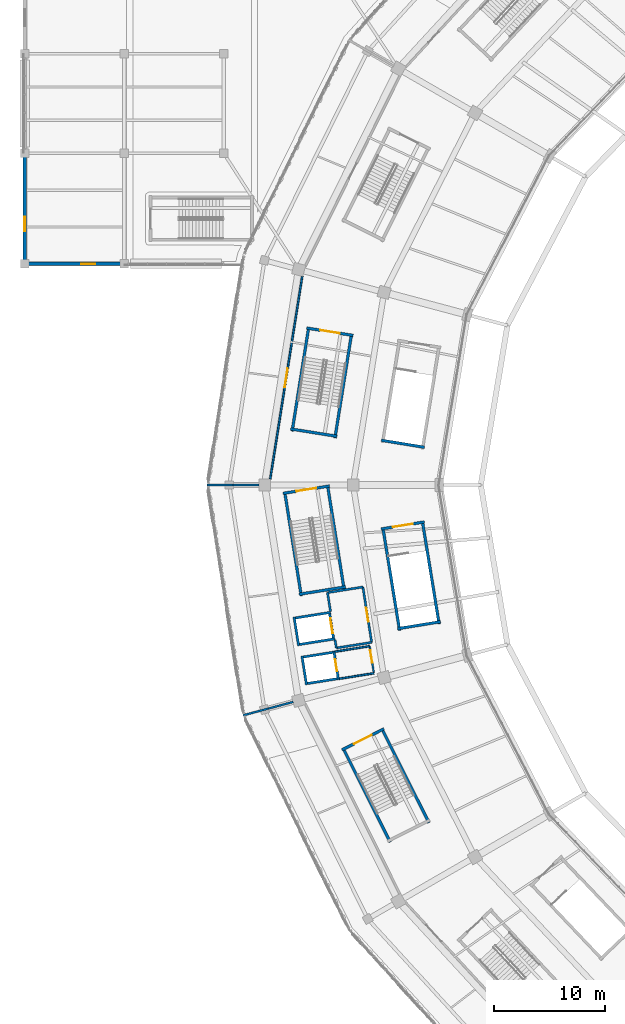
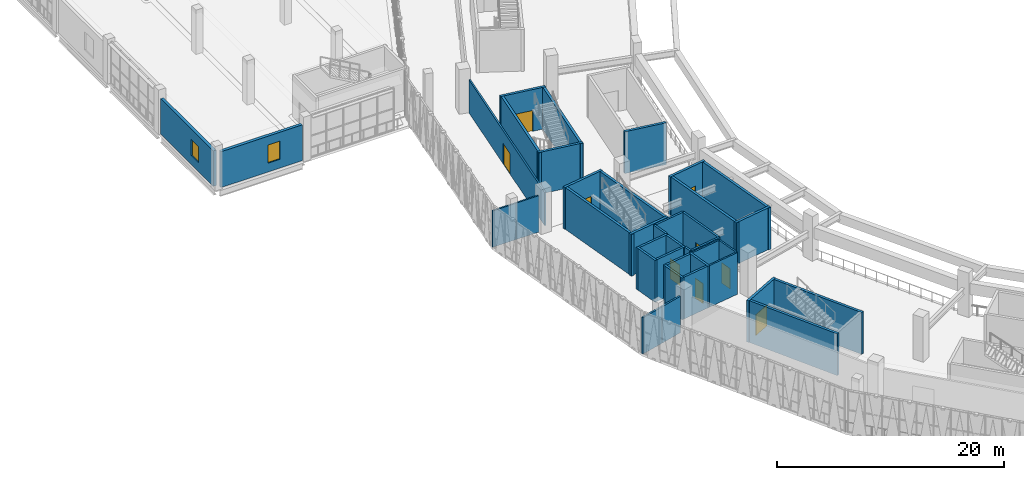
# One storey, part 100 of 179: 39 walls, 9 doors, 2 windows, 11 openings.
"""IFC4 building model written with IfcOpenShell, lengths in metres."""

from ifc_helpers import new_model, si_unit, direction, frame, frame_2d, origin, place, context, subcontext, project, spatial, rectangle, extrude, material, layer, layer_set, type_object, element, fill, save


model = new_model("IFC4")

# Units and contexts
model_context = context("Model", 3, precision=1e-05, world=origin(), true_north=direction((0.0, 1.0)))
body_context = subcontext(model_context, "Body", "Model", "MODEL_VIEW")
ifc_project = project(units=[si_unit("LENGTHUNIT", "METRE"), si_unit("AREAUNIT", "SQUARE_METRE"), si_unit("VOLUMEUNIT", "CUBIC_METRE"), si_unit("PLANEANGLEUNIT", "RADIAN"), si_unit("MASSUNIT", "GRAM", prefix="KILO")], contexts=[model_context])

# Site, building, storey
site_placement = place(None, origin())
site = spatial("IfcSite", under=ifc_project, at=site_placement, CompositionType="ELEMENT")
building_placement = place(site_placement, origin())
building = spatial("IfcBuilding", under=site, at=building_placement, Name="Zevraka Park Crest Stadium", CompositionType="ELEMENT")
storey_placement = place(building_placement, frame((0.0, 0.0, 10.199951171875)))
storey = spatial("IfcBuildingStorey", under=building, at=storey_placement, Name="L02", CompositionType="ELEMENT", Elevation=10.199951171875)

# Wall, opening, window
ifc_material_1 = material(Name="Limestone and red clay brick masonry", Category="masonry")
ifc_layer_1 = layer(ifc_material_1, 0.300048828125)
ifc_layer_set_1 = layer_set([ifc_layer_1], Name="Limestone and red clay brick masonry")
wall_type_1 = type_object("IfcWallType", Name="EW02", PredefinedType="STANDARD", material=ifc_layer_set_1)
wall_1_placement = place(storey_placement, frame((0.0, 112.35009765625, 0.0), z_axis=(0.0, 0.0, 1.0), x_axis=(0.0, 1.0, 0.0)))
wall_1 = element("IfcWall", 1, at=wall_1_placement, inside=storey, type_object=wall_type_1, Name="Wing External Cavity Wall EW02 L02-NW-W-1", PredefinedType="STANDARD", context=body_context, shape_type="SweptSolid", body=[
    extrude(rectangle(XDim=9.2998046875, YDim=0.300048828125, at=frame_2d((4.64990234375, 0.0))), origin(), (0.0, 0.0, 1.0), 3.817138671875),
])
opening_1_placement = place(wall_1_placement, frame((2.60498046875, 0.0, 0.949951171875)))
opening_1 = element("IfcOpeningElement", 2, at=opening_1_placement, cuts=wall_1, Name="Opening WN31", PredefinedType="OPENING", context=body_context, shape_type="SweptSolid", body=[
    extrude(rectangle(XDim=1.300048828125, YDim=1.75, at=frame_2d((0.64990234375, 0.875))), frame((0.0, 0.159912109375, 0.0), z_axis=(0.0, -1.0, 0.0), x_axis=(1.0, 0.0, 0.0)), (0.0, 0.0, 1.0), 0.320068359375),
])
ifc_material_2 = material(Name="Solar-control laminated double glazing in aluminium frame", Category="aluminium")
window_type_1 = type_object("IfcWindowType", Name="WN31", PartitioningType="SINGLE_PANEL", PredefinedType="WINDOW", material=ifc_material_2)
window_1_placement = place(opening_1_placement, origin())
window_1 = element("IfcWindow", 3, at=window_1_placement, inside=storey, type_object=window_type_1, Name="Facade Casement Window WN31 W-L02-031", OverallHeight=1.75, OverallWidth=1.300048828125, PartitioningType="SINGLE_PANEL", PredefinedType="WINDOW", context=body_context, shape_type="SweptSolid", body=[
    extrude(rectangle(XDim=1.300048828125, YDim=1.75, at=frame_2d((0.64990234375, 0.875))), frame((0.0, 0.030029296875, 0.0), z_axis=(0.0, -1.0, 0.0), x_axis=(1.0, 0.0, 0.0)), (0.0, 0.0, 1.0), 0.06005859375),
])
fill(opening_1, window_1)

wall_2_placement = place(storey_placement, frame((8.64990234375, 112.0, 0.0), z_axis=(0.0, 0.0, 1.0), x_axis=(-1.0, 0.0, 0.0)))
wall_2 = element("IfcWall", 4, at=wall_2_placement, inside=storey, type_object=wall_type_1, Name="Wing External Cavity Wall EW02 L02-NW-S0-3", PredefinedType="STANDARD", context=body_context, shape_type="SweptSolid", body=[
    extrude(rectangle(XDim=8.2998046875, YDim=0.300048828125, at=frame_2d((4.14990234375, 0.0))), origin(), (0.0, 0.0, 1.0), 3.85498046875),
])
opening_2_placement = place(wall_2_placement, frame((2.280029296875, 0.0, 0.949951171875)))
opening_2 = element("IfcOpeningElement", 5, at=opening_2_placement, cuts=wall_2, Name="Opening WN18", PredefinedType="OPENING", context=body_context, shape_type="SweptSolid", body=[
    extrude(rectangle(XDim=1.25, YDim=1.949951171875, at=frame_2d((0.625, 0.97509765625))), frame((0.0, 0.159912109375, 0.0), z_axis=(0.0, -1.0, 0.0), x_axis=(1.0, 0.0, 0.0)), (0.0, 0.0, 1.0), 0.320068359375),
])
ifc_material_3 = material(Name="Solar-control laminated double glazing in aluminium frame", Category="aluminium")
window_type_2 = type_object("IfcWindowType", Name="WN18", PartitioningType="SINGLE_PANEL", PredefinedType="WINDOW", material=ifc_material_3)
window_2_placement = place(opening_2_placement, origin())
window_2 = element("IfcWindow", 6, at=window_2_placement, inside=storey, type_object=window_type_2, Name="Facade Casement Window WN18 W-L02-059", OverallHeight=1.949951171875, OverallWidth=1.25, PartitioningType="SINGLE_PANEL", PredefinedType="WINDOW", context=body_context, shape_type="SweptSolid", body=[
    extrude(rectangle(XDim=1.25, YDim=1.949951171875, at=frame_2d((0.625, 0.97509765625))), frame((0.0, 0.030029296875, 0.0), z_axis=(0.0, -1.0, 0.0), x_axis=(1.0, 0.0, 0.0)), (0.0, 0.0, 1.0), 0.06005859375),
])
fill(opening_2, window_2)

# Walls
ifc_material_4 = material(Name="Autoclaved aerated masonry blockwork", Category="masonry")
ifc_layer_2 = layer(ifc_material_4, 0.199951171875)
ifc_layer_set_2 = layer_set([ifc_layer_2], Name="Autoclaved aerated masonry blockwork")
wall_type_2 = type_object("IfcWallType", Name="IW01", PredefinedType="PARTITIONING", material=ifc_layer_set_2)
wall_3_placement = place(storey_placement, frame((28.18310546875, 77.256103515625, 0.0), z_axis=(0.0, 0.0, 1.0), x_axis=(-0.157482870509, 0.987521719, 0.0)))
element("IfcWall", 7, at=wall_3_placement, inside=storey, type_object=wall_type_2, Name="Firefighting Lift Lobby Wall IW01 FL03 L02 BACKL", PredefinedType="PARTITIONING", context=body_context, shape_type="SweptSolid", body=[
    extrude(rectangle(XDim=0.750244140625, YDim=0.199951171875, at=frame_2d((0.375, 0.0))), origin(), (0.0, 0.0, 1.0), 4.47998046875),
])
wall_4_placement = place(storey_placement, frame((27.656982421875, 80.56396484375, 0.0), z_axis=(0.0, 0.0, 1.0), x_axis=(-0.156960903537, 0.987604817101, 0.0)))
element("IfcWall", 8, at=wall_4_placement, inside=storey, type_object=wall_type_2, Name="Firefighting Lift Lobby Wall IW01 FL03 L02 BACKR", PredefinedType="PARTITIONING", context=body_context, shape_type="SweptSolid", body=[
    extrude(rectangle(XDim=1.72021484375, YDim=0.199951171875, at=frame_2d((0.860107421875, 0.0))), origin(), (0.0, 0.0, 1.0), 4.47998046875),
])
wall_5_placement = place(storey_placement, frame((28.18310546875, 77.256103515625, 0.0), z_axis=(0.0, 0.0, 1.0), x_axis=(0.987633675984, 0.156779214382, 0.0)))
element("IfcWall", 9, at=wall_5_placement, inside=storey, type_object=wall_type_2, Name="Firefighting Lift Lobby Wall IW01 FL03 L02 LEFT", PredefinedType="PARTITIONING", context=body_context, shape_type="SweptSolid", body=[
    extrude(rectangle(XDim=3.239013671875, YDim=0.199951171875, at=frame_2d((1.61962890625, 0.0))), origin(), (0.0, 0.0, 1.0), 4.47998046875),
])
wall_6_placement = place(storey_placement, frame((27.386962890625, 82.262939453125, 0.0), z_axis=(0.0, 0.0, 1.0), x_axis=(0.987629416648, 0.156806043797, 0.0)))
element("IfcWall", 10, at=wall_6_placement, inside=storey, type_object=wall_type_2, Name="Firefighting Lift Lobby Wall IW01 FL03 L02 RIGHT", PredefinedType="PARTITIONING", context=body_context, shape_type="SweptSolid", body=[
    extrude(rectangle(XDim=3.239990234375, YDim=0.199951171875, at=frame_2d((1.6201171875, 0.0))), origin(), (0.0, 0.0, 1.0), 4.47998046875),
])

# Wall, opening, door
wall_7_placement = place(storey_placement, frame((31.382080078125, 77.763916015625, 0.0), z_axis=(0.0, 0.0, 1.0), x_axis=(-0.156842848291, 0.987623572491, 0.0)))
wall_7 = element("IfcWall", 11, at=wall_7_placement, inside=storey, type_object=wall_type_2, Name="Firefighting Lift Lobby Wall IW01 FL03 L02 FRONT", PredefinedType="PARTITIONING", context=body_context, shape_type="SweptSolid", body=[
    extrude(rectangle(XDim=5.06982421875, YDim=0.199951171875, at=frame_2d((2.534912109375, 0.0))), origin(), (0.0, 0.0, 1.0), 4.47998046875),
])
opening_3_placement = place(wall_7_placement, frame((1.909912109375, 0.0, 0.0)))
opening_3 = element("IfcOpeningElement", 12, at=opening_3_placement, cuts=wall_7, Name="Opening D-L02-309", PredefinedType="OPENING", context=body_context, shape_type="SweptSolid", body=[
    extrude(rectangle(XDim=1.25, YDim=2.199951171875, at=frame_2d((0.625, 1.10009765625))), frame((0.0, 0.10986328125, 0.0), z_axis=(0.0, -1.0, 0.0), x_axis=(1.0, 0.0, 0.0)), (0.0, 0.0, 1.0), 0.219970703125),
])
ifc_material_5 = material(Name="Solid-core hardwood timber leaf in steel frame", Category="steel")
door_type_1 = type_object("IfcDoorType", Name="DR07", OperationType="NOTDEFINED", PredefinedType="DOOR", material=ifc_material_5)
door_1_placement = place(opening_3_placement, origin())
door_1 = element("IfcDoor", 13, at=door_1_placement, inside=storey, type_object=door_type_1, Name="Firefighting Lift Lobby FL03 Door D-L02-309", OperationType="SINGLE_SWING_LEFT", OverallHeight=2.199951171875, OverallWidth=1.25, PredefinedType="DOOR", context=body_context, shape_type="SweptSolid", body=[
    extrude(rectangle(XDim=1.25, YDim=2.199951171875, at=frame_2d((0.625, 1.10009765625))), frame((0.0, 0.02490234375, 0.0), z_axis=(0.0, -1.0, 0.0), x_axis=(1.0, 0.0, 0.0)), (0.0, 0.0, 1.0), 0.050048828125),
])
fill(opening_3, door_1)

# Walls
ifc_material_6 = material(Name="Fire-rated twin-stud acoustic drywall", Category="other")
ifc_layer_3 = layer(ifc_material_6, 0.159912109375)
ifc_layer_set_3 = layer_set([ifc_layer_3], Name="Fire-rated twin-stud acoustic drywall")
wall_type_3 = type_object("IfcWallType", Name="IW02", PredefinedType="PARTITIONING", material=ifc_layer_set_3)
wall_8_placement = place(storey_placement, frame((28.452880859375, 74.472900390625, 0.0), z_axis=(0.0, 0.0, 1.0), x_axis=(0.987632121619, 0.156789005818, 0.0)))
element("IfcWall", 14, at=wall_8_placement, inside=storey, type_object=wall_type_3, Name="Passenger Lift Lobby Wall IW02 PL03 L02 LEFT", PredefinedType="PARTITIONING", context=body_context, shape_type="SweptSolid", body=[
    extrude(rectangle(XDim=3.17041015625, YDim=0.159912109375, at=frame_2d((1.585205078125, 0.0))), origin(), (0.0, 0.0, 1.0), 4.47998046875),
])
wall_9_placement = place(storey_placement, frame((28.06396484375, 76.923095703125, 0.0), z_axis=(0.0, 0.0, 1.0), x_axis=(0.987644043639, 0.156713889186, 0.0)))
element("IfcWall", 15, at=wall_9_placement, inside=storey, type_object=wall_type_3, Name="Passenger Lift Lobby Wall IW02 PL03 L02 RIGHT", PredefinedType="PARTITIONING", context=body_context, shape_type="SweptSolid", body=[
    extrude(rectangle(XDim=3.170166015625, YDim=0.159912109375, at=frame_2d((1.5849609375, 0.0))), origin(), (0.0, 0.0, 1.0), 4.47998046875),
])

# Wall, opening, door
wall_10_placement = place(storey_placement, frame((31.583984375, 74.969970703125, 0.0), z_axis=(0.0, 0.0, 1.0), x_axis=(-0.156781258489, 0.987633351496, 0.0)))
wall_10 = element("IfcWall", 16, at=wall_10_placement, inside=storey, type_object=wall_type_3, Name="Passenger Lift Lobby Wall IW02 PL03 L02 FRONT", PredefinedType="PARTITIONING", context=body_context, shape_type="SweptSolid", body=[
    extrude(rectangle(XDim=2.480712890625, YDim=0.159912109375, at=frame_2d((1.240234375, 0.0))), origin(), (0.0, 0.0, 1.0), 4.47998046875),
])
opening_4_placement = place(wall_10_placement, frame((0.962890625, 0.0, 0.0)))
opening_4 = element("IfcOpeningElement", 17, at=opening_4_placement, cuts=wall_10, Name="Opening D-L02-315", PredefinedType="OPENING", context=body_context, shape_type="SweptSolid", body=[
    extrude(rectangle(XDim=1.14990234375, YDim=2.199951171875, at=frame_2d((0.574951171875, 1.10009765625))), frame((0.0, 0.08984375, 0.0), z_axis=(0.0, -1.0, 0.0), x_axis=(1.0, 0.0, 0.0)), (0.0, 0.0, 1.0), 0.179931640625),
])
ifc_material_7 = material(Name="Solid-core hardwood timber leaf in steel frame", Category="steel")
door_type_2 = type_object("IfcDoorType", Name="DR03", OperationType="NOTDEFINED", PredefinedType="DOOR", material=ifc_material_7)
door_2_placement = place(opening_4_placement, origin())
door_2 = element("IfcDoor", 18, at=door_2_placement, inside=storey, type_object=door_type_2, Name="Passenger Lift Lobby PL03 Door D-L02-315", OperationType="SINGLE_SWING_LEFT", OverallHeight=2.199951171875, OverallWidth=1.14990234375, PredefinedType="DOOR", context=body_context, shape_type="SweptSolid", body=[
    extrude(rectangle(XDim=1.14990234375, YDim=2.199951171875, at=frame_2d((0.574951171875, 1.10009765625))), frame((0.0, 0.02490234375, 0.0), z_axis=(0.0, -1.0, 0.0), x_axis=(1.0, 0.0, 0.0)), (0.0, 0.0, 1.0), 0.050048828125),
])
fill(opening_4, door_2)

wall_11_placement = place(storey_placement, frame((25.10302734375, 110.8740234375, 0.0), z_axis=(0.0, 0.0, 1.0), x_axis=(-0.156094739357, -0.987742087969, 0.0)))
wall_11 = element("IfcWall", 19, at=wall_11_placement, inside=storey, type_object=wall_type_3, Name="Interior Partition IW02 Central Catering Production Kitchen L02", PredefinedType="PARTITIONING", context=body_context, shape_type="SweptSolid", body=[
    extrude(rectangle(XDim=18.591796875, YDim=0.159912109375, at=frame_2d((9.2958984375, 0.0))), origin(), (0.0, 0.0, 1.0), 3.56494140625),
])
opening_5_placement = place(wall_11_placement, frame((8.446044921875, 0.0, 0.0)))
opening_5 = element("IfcOpeningElement", 20, at=opening_5_placement, cuts=wall_11, Name="Opening D-L02-408", PredefinedType="OPENING", context=body_context, shape_type="SweptSolid", body=[
    extrude(rectangle(XDim=1.699951171875, YDim=2.199951171875, at=frame_2d((0.85009765625, 1.10009765625))), frame((0.0, 0.08984375, 0.0), z_axis=(0.0, -1.0, 0.0), x_axis=(1.0, 0.0, 0.0)), (0.0, 0.0, 1.0), 0.179931640625),
])
ifc_material_8 = material(Name="Solid-core hardwood timber leaf in steel frame", Category="steel")
door_type_3 = type_object("IfcDoorType", Name="DR14", OperationType="NOTDEFINED", PredefinedType="DOOR", material=ifc_material_8)
door_3_placement = place(opening_5_placement, origin())
door_3 = element("IfcDoor", 21, at=door_3_placement, inside=storey, type_object=door_type_3, Name="Central Catering Production Kitchen Door D-L02-408", OperationType="DOUBLE_DOOR_SINGLE_SWING", OverallHeight=2.199951171875, OverallWidth=1.699951171875, PredefinedType="DOOR", context=body_context, shape_type="SweptSolid", body=[
    extrude(rectangle(XDim=1.699951171875, YDim=2.199951171875, at=frame_2d((0.85009765625, 1.10009765625))), frame((0.0, 0.02490234375, 0.0), z_axis=(0.0, -1.0, 0.0), x_axis=(1.0, 0.0, 0.0)), (0.0, 0.0, 1.0), 0.050048828125),
])
fill(opening_5, door_3)

# Walls
wall_12_placement = place(storey_placement, frame((21.18994140625, 92.0, 0.0), z_axis=(0.0, 0.0, 1.0), x_axis=(-1.0, 0.0, 0.0)))
element("IfcWall", 22, at=wall_12_placement, inside=storey, type_object=wall_type_3, Name="Interior Partition IW02 Central Catering Production Kitchen L02", PredefinedType="PARTITIONING", context=body_context, shape_type="SweptSolid", body=[
    extrude(rectangle(XDim=2.329833984375, YDim=0.159912109375, at=frame_2d((1.1650390625, 0.0))), origin(), (0.0, 0.0, 1.0), 3.9150390625),
])
wall_13_placement = place(storey_placement, frame((18.875, 92.0, 0.0), z_axis=(0.0, 0.0, 1.0), x_axis=(-1.0, 0.0, 0.0)))
element("IfcWall", 23, at=wall_13_placement, inside=storey, type_object=wall_type_3, Name="Interior Partition IW02 Central Catering Production Kitchen L02", PredefinedType="PARTITIONING", context=body_context, shape_type="SweptSolid", body=[
    extrude(rectangle(XDim=2.375, YDim=0.159912109375, at=frame_2d((1.1875, 0.0))), origin(), (0.0, 0.0, 1.0), 3.9150390625),
])
ifc_material_9 = material(Name="Fire-rated twin-stud acoustic drywall", Category="other")
ifc_layer_4 = layer(ifc_material_9, 0.179931640625)
ifc_layer_set_4 = layer_set([ifc_layer_4], Name="Fire-rated twin-stud acoustic drywall")
wall_type_4 = type_object("IfcWallType", Name="IW06", PredefinedType="PARTITIONING", material=ifc_layer_set_4)
wall_14_placement = place(storey_placement, frame((24.283935546875, 72.37890625, 0.0), z_axis=(0.0, 0.0, 1.0), x_axis=(-0.965910621106, -0.258875784953, 0.0)))
element("IfcWall", 24, at=wall_14_placement, inside=storey, type_object=wall_type_4, Name="Interior Partition IW06 West Club Members Lounge L02", PredefinedType="PARTITIONING", context=body_context, shape_type="SweptSolid", body=[
    extrude(rectangle(XDim=2.329345703125, YDim=0.179931640625, at=frame_2d((1.16455078125, 0.0))), origin(), (0.0, 0.0, 1.0), 3.9150390625),
])
wall_15_placement = place(storey_placement, frame((22.048095703125, 71.781005859375, 0.0), z_axis=(0.0, 0.0, 1.0), x_axis=(-0.965795139673, -0.259306282579, 0.0)))
element("IfcWall", 25, at=wall_15_placement, inside=storey, type_object=wall_type_4, Name="Interior Partition IW06 West Club Members Lounge L02", PredefinedType="PARTITIONING", context=body_context, shape_type="SweptSolid", body=[
    extrude(rectangle(XDim=2.37548828125, YDim=0.179931640625, at=frame_2d((1.187744140625, 0.0))), origin(), (0.0, 0.0, 1.0), 3.9150390625),
])
ifc_material_10 = material(Name="Concrete C40/50", Category="concrete")
ifc_layer_5 = layer(ifc_material_10, 0.25)
ifc_layer_set_5 = layer_set([ifc_layer_5], Name="Concrete C40/50")
wall_type_5 = type_object("IfcWallType", Name="SW01", PredefinedType="SHEAR", material=ifc_layer_set_5)
for number, where, z_axis, x_axis, name in (
    (26, (25.69140625, 106.28955078125, 0.0), (0.0, 0.0, 1.0), (-0.157272580499, -0.987555231581, 0.0), "Stair Core Shear Wall SW01 ST12 L02 left"),
    (27, (28.060791015625, 96.241943359375, 0.0), (0.0, 0.0, 1.0), (0.157247648214, 0.987559201836, 0.0), "Stair Core Shear Wall SW01 ST12 L02 right"),
):
    element("IfcWall", number, at=place(storey_placement, frame(where, z_axis=z_axis, x_axis=x_axis)), inside=storey, type_object=wall_type_5, Name=name, PredefinedType="SHEAR", context=body_context, shape_type="SweptSolid", body=[
        extrude(rectangle(XDim=9.550048828125, YDim=0.25, at=frame_2d((4.77490234375, 0.0))), origin(), (0.0, 0.0, 1.0), 4.5),
    ])

# Wall, opening, door
wall_16_placement = place(storey_placement, frame((29.710693359375, 105.522705078125, 0.0), z_axis=(0.0, 0.0, 1.0), x_axis=(-0.987548759282, 0.157313216355, 0.0)))
wall_16 = element("IfcWall", 28, at=wall_16_placement, inside=storey, type_object=wall_type_5, Name="Stair Core Shear Wall SW01 ST12 L02 near", PredefinedType="SHEAR", context=body_context, shape_type="SweptSolid", body=[
    extrude(rectangle(XDim=4.260009765625, YDim=0.25, at=frame_2d((2.1298828125, 0.0))), origin(), (0.0, 0.0, 1.0), 4.5),
])
opening_6_placement = place(wall_16_placement, frame((1.22998046875, 0.0, 0.0)))
opening_6 = element("IfcOpeningElement", 29, at=opening_6_placement, cuts=wall_16, Name="Opening D-L02-071", PredefinedType="OPENING", context=body_context, shape_type="SweptSolid", body=[
    extrude(rectangle(XDim=1.800048828125, YDim=2.25, at=frame_2d((0.89990234375, 1.125))), frame((0.0, 0.135009765625, 0.0), z_axis=(0.0, -1.0, 0.0), x_axis=(1.0, 0.0, 0.0)), (0.0, 0.0, 1.0), 0.27001953125),
])
ifc_material_11 = material(Name="Solid-core hardwood timber leaf in steel frame", Category="steel")
door_type_4 = type_object("IfcDoorType", Name="DR04", OperationType="NOTDEFINED", PredefinedType="DOOR", material=ifc_material_11)
door_4_placement = place(opening_6_placement, origin())
door_4 = element("IfcDoor", 30, at=door_4_placement, inside=storey, type_object=door_type_4, Name="Protected Stair Entry Door ST12 L02", OperationType="DOUBLE_DOOR_SINGLE_SWING", OverallHeight=2.25, OverallWidth=1.800048828125, PredefinedType="DOOR", context=body_context, shape_type="SweptSolid", body=[
    extrude(rectangle(XDim=1.800048828125, YDim=2.25, at=frame_2d((0.89990234375, 1.125))), frame((0.0, 0.02490234375, 0.0), z_axis=(0.0, -1.0, 0.0), x_axis=(1.0, 0.0, 0.0)), (0.0, 0.0, 1.0), 0.050048828125),
])
fill(opening_6, door_4)

# Walls
wall_17_placement = place(storey_placement, frame((24.05078125, 97.067626953125, 0.0), z_axis=(0.0, 0.0, 1.0), x_axis=(0.987556243614, -0.157266225551, 0.0)))
element("IfcWall", 31, at=wall_17_placement, inside=storey, type_object=wall_type_5, Name="Stair Core Shear Wall SW01 ST12 L02 far", PredefinedType="SHEAR", context=body_context, shape_type="SweptSolid", body=[
    extrude(rectangle(XDim=4.259765625, YDim=0.25, at=frame_2d((2.1298828125, 0.0))), origin(), (0.0, 0.0, 1.0), 4.5),
])
for number, where, z_axis, x_axis, name in (
    (32, (23.513671875, 91.388427734375, 0.0), (0.0, 0.0, 1.0), (0.157268610044, -0.987555863886, 0.0), "Stair Core Shear Wall SW01 ST13 L02 left"),
    (33, (28.88671875, 82.573486328125, 0.0), (0.0, 0.0, 1.0), (-0.157243678356, 0.987559833943, 0.0), "Stair Core Shear Wall SW01 ST13 L02 right"),
):
    element("IfcWall", number, at=place(storey_placement, frame(where, z_axis=z_axis, x_axis=x_axis)), inside=storey, type_object=wall_type_5, Name=name, PredefinedType="SHEAR", context=body_context, shape_type="SweptSolid", body=[
        extrude(rectangle(XDim=9.55029296875, YDim=0.25, at=frame_2d((4.775146484375, 0.0))), origin(), (0.0, 0.0, 1.0), 4.5),
    ])

# Wall, opening, door
wall_18_placement = place(storey_placement, frame((27.572509765625, 91.907958984375, 0.0), z_axis=(0.0, 0.0, 1.0), x_axis=(-0.987557660991, -0.157257324847, 0.0)))
wall_18 = element("IfcWall", 34, at=wall_18_placement, inside=storey, type_object=wall_type_5, Name="Stair Core Shear Wall SW01 ST13 L02 near", PredefinedType="SHEAR", context=body_context, shape_type="SweptSolid", body=[
    extrude(rectangle(XDim=4.260009765625, YDim=0.25, at=frame_2d((2.1298828125, 0.0))), origin(), (0.0, 0.0, 1.0), 4.5),
])
opening_7_placement = place(wall_18_placement, frame((1.22998046875, 0.0, 0.0)))
opening_7 = element("IfcOpeningElement", 35, at=opening_7_placement, cuts=wall_18, Name="Opening D-L02-076", PredefinedType="OPENING", context=body_context, shape_type="SweptSolid", body=[
    extrude(rectangle(XDim=1.800048828125, YDim=2.25, at=frame_2d((0.89990234375, 1.125))), frame((0.0, 0.135009765625, 0.0), z_axis=(0.0, -1.0, 0.0), x_axis=(1.0, 0.0, 0.0)), (0.0, 0.0, 1.0), 0.27001953125),
])
door_5_placement = place(opening_7_placement, origin())
door_5 = element("IfcDoor", 36, at=door_5_placement, inside=storey, type_object=door_type_4, Name="Protected Stair Entry Door ST13 L02", OperationType="DOUBLE_DOOR_SINGLE_SWING", OverallHeight=2.25, OverallWidth=1.800048828125, PredefinedType="DOOR", context=body_context, shape_type="SweptSolid", body=[
    extrude(rectangle(XDim=1.800048828125, YDim=2.25, at=frame_2d((0.89990234375, 1.125))), frame((0.0, 0.02490234375, 0.0), z_axis=(0.0, -1.0, 0.0), x_axis=(1.0, 0.0, 0.0)), (0.0, 0.0, 1.0), 0.050048828125),
])
fill(opening_7, door_5)

# Walls
wall_19_placement = place(storey_placement, frame((24.818603515625, 82.113037109375, 0.0), z_axis=(0.0, 0.0, 1.0), x_axis=(0.987557660991, 0.157257324847, 0.0)))
element("IfcWall", 37, at=wall_19_placement, inside=storey, type_object=wall_type_5, Name="Stair Core Shear Wall SW01 ST13 L02 far", PredefinedType="SHEAR", context=body_context, shape_type="SweptSolid", body=[
    extrude(rectangle(XDim=4.260009765625, YDim=0.25, at=frame_2d((2.1298828125, 0.0))), origin(), (0.0, 0.0, 1.0), 4.5),
])
for number, where, z_axis, x_axis, name in (
    (38, (28.785400390625, 68.2255859375, 0.0), (0.0, 0.0, 1.0), (0.447919041961, -0.894074119885, 0.0), "Stair Core Shear Wall SW01 ST14 L02 left"),
    (39, (36.56787109375, 61.443115234375, 0.0), (0.0, 0.0, 1.0), (-0.447919041961, 0.894074119885, 0.0), "Stair Core Shear Wall SW01 ST14 L02 right"),
):
    element("IfcWall", number, at=place(storey_placement, frame(where, z_axis=z_axis, x_axis=x_axis)), inside=storey, type_object=wall_type_5, Name=name, PredefinedType="SHEAR", context=body_context, shape_type="SweptSolid", body=[
        extrude(rectangle(XDim=9.5498046875, YDim=0.25, at=frame_2d((4.77490234375, 0.0))), origin(), (0.0, 0.0, 1.0), 4.5),
    ])

# Wall, opening, door
wall_20_placement = place(storey_placement, frame((32.498291015625, 69.94580078125, 0.0), z_axis=(0.0, 0.0, 1.0), x_axis=(-0.89409454548, -0.447878268888, 0.0)))
wall_20 = element("IfcWall", 40, at=wall_20_placement, inside=storey, type_object=wall_type_5, Name="Stair Core Shear Wall SW01 ST14 L02 near", PredefinedType="SHEAR", context=body_context, shape_type="SweptSolid", body=[
    extrude(rectangle(XDim=4.260009765625, YDim=0.25, at=frame_2d((2.1298828125, 0.0))), origin(), (0.0, 0.0, 1.0), 4.5),
])
opening_8_placement = place(wall_20_placement, frame((1.22998046875, 0.0, 0.0)))
opening_8 = element("IfcOpeningElement", 41, at=opening_8_placement, cuts=wall_20, Name="Opening D-L02-083", PredefinedType="OPENING", context=body_context, shape_type="SweptSolid", body=[
    extrude(rectangle(XDim=1.800048828125, YDim=2.25, at=frame_2d((0.89990234375, 1.125))), frame((0.0, 0.135009765625, 0.0), z_axis=(0.0, -1.0, 0.0), x_axis=(1.0, 0.0, 0.0)), (0.0, 0.0, 1.0), 0.27001953125),
])
door_6_placement = place(opening_8_placement, origin())
door_6 = element("IfcDoor", 42, at=door_6_placement, inside=storey, type_object=door_type_4, Name="Protected Stair Entry Door ST14 L02", OperationType="DOUBLE_DOOR_SINGLE_SWING", OverallHeight=2.25, OverallWidth=1.800048828125, PredefinedType="DOOR", context=body_context, shape_type="SweptSolid", body=[
    extrude(rectangle(XDim=1.800048828125, YDim=2.25, at=frame_2d((0.89990234375, 1.125))), frame((0.0, 0.02490234375, 0.0), z_axis=(0.0, -1.0, 0.0), x_axis=(1.0, 0.0, 0.0)), (0.0, 0.0, 1.0), 0.050048828125),
])
fill(opening_8, door_6)

# Walls
wall_21_placement = place(storey_placement, frame((32.25244140625, 96.042236328125, 0.0), z_axis=(0.0, 0.0, 1.0), x_axis=(0.987008406822, -0.160668618163, 0.0)))
element("IfcWall", 43, at=wall_21_placement, inside=storey, type_object=wall_type_5, Name="Stair Core Shear Wall SW01 ST38 L02 far", PredefinedType="SHEAR", context=body_context, shape_type="SweptSolid", body=[
    extrude(rectangle(XDim=3.9599609375, YDim=0.25, at=frame_2d((1.97998046875, 0.0))), origin(), (0.0, 0.0, 1.0), 4.5),
])
wall_22_placement = place(storey_placement, frame((32.389892578125, 88.16796875, 0.0), z_axis=(0.0, 0.0, 1.0), x_axis=(0.160694331821, -0.987004220721, 0.0)))
element("IfcWall", 44, at=wall_22_placement, inside=storey, type_object=wall_type_5, Name="Stair Core Shear Wall SW01 ST39 L02 left", PredefinedType="SHEAR", context=body_context, shape_type="SweptSolid", body=[
    extrude(rectangle(XDim=9.449951171875, YDim=0.25, at=frame_2d((4.72509765625, 0.0))), origin(), (0.0, 0.0, 1.0), 4.5),
])
wall_23_placement = place(storey_placement, frame((37.4814453125, 79.42236328125, 0.0), z_axis=(0.0, 0.0, 1.0), x_axis=(-0.160690234322, 0.987004887827, 0.0)))
element("IfcWall", 45, at=wall_23_placement, inside=storey, type_object=wall_type_5, Name="Stair Core Shear Wall SW01 ST39 L02 right", PredefinedType="SHEAR", context=body_context, shape_type="SweptSolid", body=[
    extrude(rectangle(XDim=9.4501953125, YDim=0.25, at=frame_2d((4.72509765625, 0.0))), origin(), (0.0, 0.0, 1.0), 4.5),
])

# Wall, opening, door
wall_24_placement = place(storey_placement, frame((36.150634765625, 88.653564453125, 0.0), z_axis=(0.0, 0.0, 1.0), x_axis=(-0.986998628025, -0.160728679072, 0.0)))
wall_24 = element("IfcWall", 46, at=wall_24_placement, inside=storey, type_object=wall_type_5, Name="Stair Core Shear Wall SW01 ST39 L02 near", PredefinedType="SHEAR", context=body_context, shape_type="SweptSolid", body=[
    extrude(rectangle(XDim=3.9599609375, YDim=0.25, at=frame_2d((1.97998046875, 0.0))), origin(), (0.0, 0.0, 1.0), 4.5),
])
opening_9_placement = place(wall_24_placement, frame((1.080078125, 0.0, 0.0)))
opening_9 = element("IfcOpeningElement", 47, at=opening_9_placement, cuts=wall_24, Name="Opening D-L02-212", PredefinedType="OPENING", context=body_context, shape_type="SweptSolid", body=[
    extrude(rectangle(XDim=1.800048828125, YDim=2.25, at=frame_2d((0.89990234375, 1.125))), frame((0.0, 0.135009765625, 0.0), z_axis=(0.0, -1.0, 0.0), x_axis=(1.0, 0.0, 0.0)), (0.0, 0.0, 1.0), 0.27001953125),
])
door_7_placement = place(opening_9_placement, origin())
door_7 = element("IfcDoor", 48, at=door_7_placement, inside=storey, type_object=door_type_4, Name="Protected Stair Entry Door ST39 L02", OperationType="DOUBLE_DOOR_SINGLE_SWING", OverallHeight=2.25, OverallWidth=1.800048828125, PredefinedType="DOOR", context=body_context, shape_type="SweptSolid", body=[
    extrude(rectangle(XDim=1.800048828125, YDim=2.25, at=frame_2d((0.89990234375, 1.125))), frame((0.0, 0.02490234375, 0.0), z_axis=(0.0, -1.0, 0.0), x_axis=(1.0, 0.0, 0.0)), (0.0, 0.0, 1.0), 0.050048828125),
])
fill(opening_9, door_7)

# Walls
wall_25_placement = place(storey_placement, frame((33.7109375, 78.99609375, 0.0), z_axis=(0.0, 0.0, 1.0), x_axis=(0.987009998221, 0.160658841684, 0.0)))
element("IfcWall", 49, at=wall_25_placement, inside=storey, type_object=wall_type_5, Name="Stair Core Shear Wall SW01 ST39 L02 far", PredefinedType="SHEAR", context=body_context, shape_type="SweptSolid", body=[
    extrude(rectangle(XDim=3.960205078125, YDim=0.25, at=frame_2d((1.97998046875, 0.0))), origin(), (0.0, 0.0, 1.0), 4.5),
])
ifc_material_12 = material(Name="Concrete C40/50", Category="concrete")
ifc_layer_6 = layer(ifc_material_12, 0.219970703125)
ifc_layer_set_6 = layer_set([ifc_layer_6], Name="Concrete C40/50")
wall_type_6 = type_object("IfcWallType", Name="SW02", PredefinedType="SHEAR", material=ifc_layer_set_6)
wall_26_placement = place(storey_placement, frame((24.364990234375, 80.06298828125, 0.0), z_axis=(0.0, 0.0, 1.0), x_axis=(0.156807626334, -0.987629165387, 0.0)))
element("IfcWall", 50, at=wall_26_placement, inside=storey, type_object=wall_type_6, Name="Lift Shaft Shear Wall SW02 FL03 L02-1", PredefinedType="SHEAR", context=body_context, shape_type="SweptSolid", body=[
    extrude(rectangle(XDim=2.640625, YDim=0.219970703125, at=frame_2d((1.3203125, 0.0))), origin(), (0.0, 0.0, 1.0), 4.5),
])
wall_27_placement = place(storey_placement, frame((24.653076171875, 77.547119140625, 0.0), z_axis=(0.0, 0.0, 1.0), x_axis=(0.987703627881, 0.156337914372, 0.0)))
element("IfcWall", 51, at=wall_27_placement, inside=storey, type_object=wall_type_6, Name="Lift Shaft Shear Wall SW02 FL03 L02-2", PredefinedType="SHEAR", context=body_context, shape_type="SweptSolid", body=[
    extrude(rectangle(XDim=3.440185546875, YDim=0.219970703125, at=frame_2d((1.72021484375, 0.0))), origin(), (0.0, 0.0, 1.0), 4.5),
])

# Wall, opening, door
wall_28_placement = place(storey_placement, frame((27.958984375, 77.958984375, 0.0), z_axis=(0.0, 0.0, 1.0), x_axis=(-0.156807626334, 0.987629165387, 0.0)))
wall_28 = element("IfcWall", 52, at=wall_28_placement, inside=storey, type_object=wall_type_6, Name="Lift Shaft Shear Wall SW02 FL03 L02-3", PredefinedType="SHEAR", context=body_context, shape_type="SweptSolid", body=[
    extrude(rectangle(XDim=2.640625, YDim=0.219970703125, at=frame_2d((1.3203125, 0.0))), origin(), (0.0, 0.0, 1.0), 4.5),
])
opening_10_placement = place(wall_28_placement, frame((0.6201171875, 0.0, 0.0)))
opening_10 = element("IfcOpeningElement", 53, at=opening_10_placement, cuts=wall_28, Name="Opening LD-FL03-L02", PredefinedType="OPENING", context=body_context, shape_type="SweptSolid", body=[
    extrude(rectangle(XDim=1.39990234375, YDim=2.199951171875, at=frame_2d((0.699951171875, 1.10009765625))), frame((0.0, 0.119873046875, 0.0), z_axis=(0.0, -1.0, 0.0), x_axis=(1.0, 0.0, 0.0)), (0.0, 0.0, 1.0), 0.239990234375),
])
ifc_material_13 = material(Name="Brushed stainless steel lift landing doors", Category="steel")
door_type_5 = type_object("IfcDoorType", Name="LD01", OperationType="NOTDEFINED", PredefinedType="DOOR", material=ifc_material_13)
door_8_placement = place(opening_10_placement, origin())
door_8 = element("IfcDoor", 54, at=door_8_placement, inside=storey, type_object=door_type_5, Name="Lift Sliding Landing Door LD-FL03-L02", OperationType="SLIDING_TO_LEFT", OverallHeight=2.199951171875, OverallWidth=1.39990234375, PredefinedType="DOOR", context=body_context, shape_type="SweptSolid", body=[
    extrude(rectangle(XDim=1.39990234375, YDim=2.199951171875, at=frame_2d((0.699951171875, 1.10009765625))), frame((0.0, 0.02490234375, 0.0), z_axis=(0.0, -1.0, 0.0), x_axis=(1.0, 0.0, 0.0)), (0.0, 0.0, 1.0), 0.050048828125),
])
fill(opening_10, door_8)

# Walls
wall_29_placement = place(storey_placement, frame((27.6708984375, 80.47509765625, 0.0), z_axis=(0.0, 0.0, 1.0), x_axis=(-0.987692667337, -0.156407144619, 0.0)))
element("IfcWall", 55, at=wall_29_placement, inside=storey, type_object=wall_type_6, Name="Lift Shaft Shear Wall SW02 FL03 L02-4", PredefinedType="SHEAR", context=body_context, shape_type="SweptSolid", body=[
    extrude(rectangle(XDim=3.440185546875, YDim=0.219970703125, at=frame_2d((1.72021484375, 0.0))), origin(), (0.0, 0.0, 1.0), 4.5),
])
wall_30_placement = place(storey_placement, frame((25.077880859375, 76.530029296875, 0.0), z_axis=(0.0, 0.0, 1.0), x_axis=(0.156807626334, -0.987629165387, 0.0)))
element("IfcWall", 56, at=wall_30_placement, inside=storey, type_object=wall_type_6, Name="Lift Shaft Shear Wall SW02 PL03 L02-1", PredefinedType="SHEAR", context=body_context, shape_type="SweptSolid", body=[
    extrude(rectangle(XDim=2.640625, YDim=0.219970703125, at=frame_2d((1.3203125, 0.0))), origin(), (0.0, 0.0, 1.0), 4.5),
])
wall_31_placement = place(storey_placement, frame((25.365966796875, 74.013916015625, 0.0), z_axis=(0.0, 0.0, 1.0), x_axis=(0.987645460109, 0.156704962032, 0.0)))
element("IfcWall", 57, at=wall_31_placement, inside=storey, type_object=wall_type_6, Name="Lift Shaft Shear Wall SW02 PL03 L02-2", PredefinedType="SHEAR", context=body_context, shape_type="SweptSolid", body=[
    extrude(rectangle(XDim=3.140869140625, YDim=0.219970703125, at=frame_2d((1.5703125, 0.0))), origin(), (0.0, 0.0, 1.0), 4.5),
])

# Wall, opening, door
wall_32_placement = place(storey_placement, frame((28.3759765625, 74.3798828125, 0.0), z_axis=(0.0, 0.0, 1.0), x_axis=(-0.156793308963, 0.987631438475, 0.0)))
wall_32 = element("IfcWall", 58, at=wall_32_placement, inside=storey, type_object=wall_type_6, Name="Lift Shaft Shear Wall SW02 PL03 L02-3", PredefinedType="SHEAR", context=body_context, shape_type="SweptSolid", body=[
    extrude(rectangle(XDim=2.640869140625, YDim=0.219970703125, at=frame_2d((1.3203125, 0.0))), origin(), (0.0, 0.0, 1.0), 4.5),
])
opening_11_placement = place(wall_32_placement, frame((0.77001953125, 0.0, 0.0)))
opening_11 = element("IfcOpeningElement", 59, at=opening_11_placement, cuts=wall_32, Name="Opening LD-PL03-L02", PredefinedType="OPENING", context=body_context, shape_type="SweptSolid", body=[
    extrude(rectangle(XDim=1.10009765625, YDim=2.14990234375, at=frame_2d((0.550048828125, 1.074951171875))), frame((0.0, 0.119873046875, 0.0), z_axis=(0.0, -1.0, 0.0), x_axis=(1.0, 0.0, 0.0)), (0.0, 0.0, 1.0), 0.239990234375),
])
ifc_material_14 = material(Name="Brushed stainless steel lift landing doors", Category="steel")
door_type_6 = type_object("IfcDoorType", Name="LD02", OperationType="NOTDEFINED", PredefinedType="DOOR", material=ifc_material_14)
door_9_placement = place(opening_11_placement, origin())
door_9 = element("IfcDoor", 60, at=door_9_placement, inside=storey, type_object=door_type_6, Name="Lift Sliding Landing Door LD-PL03-L02", OperationType="SLIDING_TO_LEFT", OverallHeight=2.14990234375, OverallWidth=1.10009765625, PredefinedType="DOOR", context=body_context, shape_type="SweptSolid", body=[
    extrude(rectangle(XDim=1.10009765625, YDim=2.14990234375, at=frame_2d((0.550048828125, 1.074951171875))), frame((0.0, 0.02490234375, 0.0), z_axis=(0.0, -1.0, 0.0), x_axis=(1.0, 0.0, 0.0)), (0.0, 0.0, 1.0), 0.050048828125),
])
fill(opening_11, door_9)

# Wall
wall_33_placement = place(storey_placement, frame((28.087890625, 76.89599609375, 0.0), z_axis=(0.0, 0.0, 1.0), x_axis=(-0.98765558045, -0.156641164471, 0.0)))
element("IfcWall", 61, at=wall_33_placement, inside=storey, type_object=wall_type_6, Name="Lift Shaft Shear Wall SW02 PL03 L02-4", PredefinedType="SHEAR", context=body_context, shape_type="SweptSolid", body=[
    extrude(rectangle(XDim=3.140625, YDim=0.219970703125, at=frame_2d((1.5703125, 0.0))), origin(), (0.0, 0.0, 1.0), 4.5),
])

save(model, "model.ifc")
